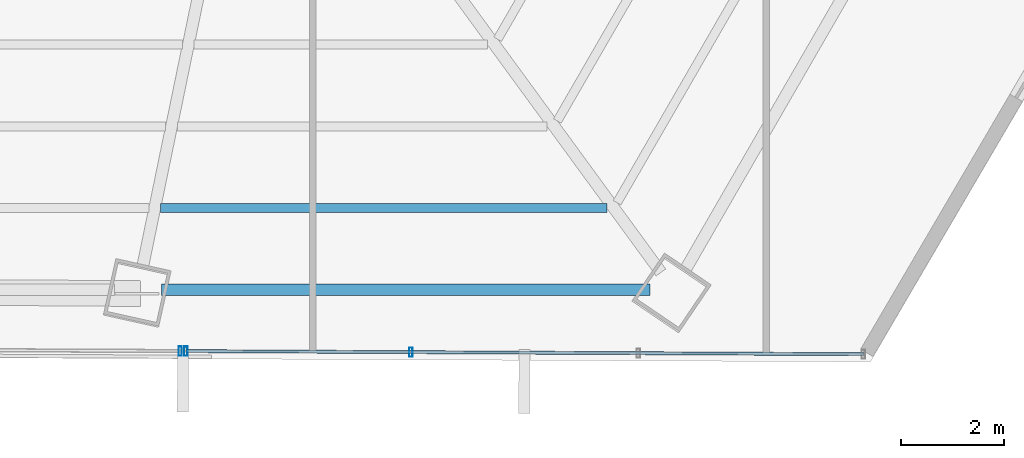
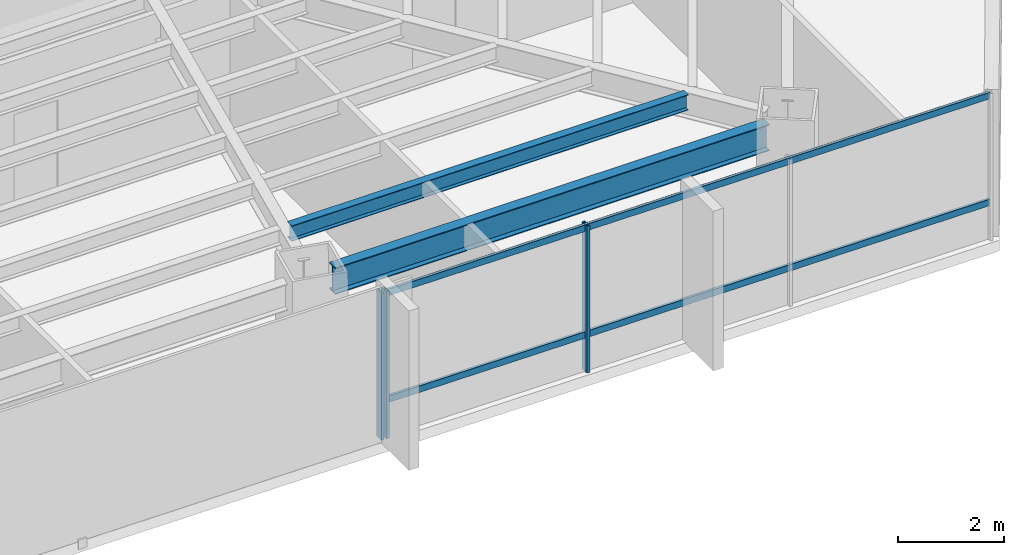
# One storey, part 16 of 35: 5 members, 2 beams, 2 elements without a shape of their own.
"""IFC4 building model written with IfcOpenShell, lengths in metres."""

from ifc_helpers import new_model, si_unit, direction, frame, origin, origin_2d, place, context, subcontext, project, spatial, hollow_rectangle, i_section, extrude, source, transform, mapped, material, material_profile, profile_set, type_object, type_shapes, element, aggregate, save


model = new_model("IFC4")

# Units and contexts
model_context = context("Model", 3, precision=1e-05, world=origin(), true_north=direction((0.0, 1.0)))
body_context = subcontext(model_context, "Body", "Model", "MODEL_VIEW")
ifc_project = project(units=[si_unit("LENGTHUNIT", "METRE"), si_unit("AREAUNIT", "SQUARE_METRE"), si_unit("VOLUMEUNIT", "CUBIC_METRE"), si_unit("PLANEANGLEUNIT", "RADIAN"), si_unit("MASSUNIT", "GRAM", prefix="KILO")], contexts=[model_context])

# Site, building, storey
site_placement = place(None, origin())
site = spatial("IfcSite", under=ifc_project, at=site_placement, CompositionType="ELEMENT")
building_placement = place(site_placement, origin())
building = spatial("IfcBuilding", under=site, at=building_placement, Name="Caelisora Broadcast Tower", CompositionType="ELEMENT")
storey_placement = place(building_placement, frame((0.0, 0.0, 98.10009765625)))
storey = spatial("IfcBuildingStorey", under=building, at=storey_placement, Name="L25", CompositionType="ELEMENT", Elevation=98.10009765625)

# Beams
ifc_material_1 = material(Name="Steel Grade 350 (AS/NZS 3679.1)", Category="steel")
ifc_material_profile_1 = material_profile(ifc_material_1, i_section(OverallWidth=0.22900390625, OverallDepth=0.611572265625, WebThickness=0.011962890625, FlangeThickness=0.01953125, at=origin_2d()), Name="Steel Grade 350 (AS/NZS 3679.1)")
ifc_profile_set_1 = profile_set([ifc_material_profile_1], Name="Steel Grade 350 (AS/NZS 3679.1)")
beam_type_1 = type_object("IfcBeamType", Name="PG03", PredefinedType="BEAM", material=ifc_profile_set_1)
shared_shape_1 = source(origin(), body_context, "Body", "SweptSolid", [
    extrude(i_section(OverallWidth=0.22900390625, OverallDepth=0.611572265625, WebThickness=0.011962890625, FlangeThickness=0.01953125, at=origin_2d()), origin(), (0.0, 0.0, 1.0), 9.50048828125),
])
type_shapes(beam_type_1, [shared_shape_1])
beam_1_placement = place(storey_placement, frame((43.67041015625, 6.268798828125, 3.093994140625), z_axis=(1.0, 0.0, 0.0), x_axis=(0.0, 1.0, 0.0)))
element("IfcBeam", 1, at=beam_1_placement, inside=storey, type_object=beam_type_1, Name="L25 beam PG03", PredefinedType="BEAM", context=body_context, shape_type="MappedRepresentation", body=[
    mapped(shared_shape_1, transform((0.0, 0.0, 0.0), scale=1.0)),
])
ifc_material_profile_2 = material_profile(ifc_material_1, i_section(OverallWidth=0.172119140625, OverallDepth=0.358642578125, WebThickness=0.008056640625, FlangeThickness=0.012939453125, at=origin_2d()), Name="Steel Grade 350 (AS/NZS 3679.1)")
ifc_profile_set_2 = profile_set([ifc_material_profile_2], Name="Steel Grade 350 (AS/NZS 3679.1)")
beam_type_2 = type_object("IfcBeamType", Name="SB02", PredefinedType="JOIST", material=ifc_profile_set_2)
shared_shape_2 = source(origin(), body_context, "Body", "SweptSolid", [
    extrude(i_section(OverallWidth=0.172119140625, OverallDepth=0.358642578125, WebThickness=0.008056640625, FlangeThickness=0.012939453125, at=origin_2d()), origin(), (0.0, 0.0, 1.0), 8.680419921875),
])
type_shapes(beam_type_2, [shared_shape_2])
beam_2_placement = place(storey_placement, frame((43.65087890625, 7.85888671875, 3.220703125), z_axis=(1.0, 0.0, 0.0), x_axis=(0.0, 1.0, 0.0)))
element("IfcBeam", 2, at=beam_2_placement, inside=storey, type_object=beam_type_2, Name="L25 beam SB02", PredefinedType="JOIST", context=body_context, shape_type="MappedRepresentation", body=[
    mapped(shared_shape_2, transform((0.0, 0.0, 0.0), scale=1.0)),
])

# Curtain wall, members
ifc_material_2 = material(Name="Unitised Aluminium and Low-E Glass Curtain Wall", Category="glass")
curtain_wall_type_1 = type_object("IfcCurtainWallType", Name="CW-Z2", PredefinedType="NOTDEFINED", material=ifc_material_2)
curtain_wall_1_placement = place(storey_placement, origin())
curtain_wall_1 = element("IfcCurtainWall", 3, at=curtain_wall_1_placement, inside=storey, type_object=curtain_wall_type_1, Name="L25 curtain wall CW-Z2", PredefinedType="NOTDEFINED")
ifc_material_3 = material(Name="Aluminium 6063-T6 Anodised Terracotta Bronze", Category="aluminium")
ifc_material_profile_3 = material_profile(ifc_material_3, hollow_rectangle(XDim=0.06494140625, YDim=0.179931640625, WallThickness=0.00341796875, at=origin_2d()), Name="Aluminium 6063-T6 Anodised Terracotta Bronze")
ifc_profile_set_3 = profile_set([ifc_material_profile_3], Name="Aluminium 6063-T6 Anodised Terracotta Bronze")
member_type_1 = type_object("IfcMemberType", Name="CWM-02", PredefinedType="MULLION", material=ifc_profile_set_3)
shared_shape_3 = source(origin(), body_context, "Body", "SweptSolid", [
    extrude(hollow_rectangle(XDim=0.06494140625, YDim=0.179931640625, WallThickness=0.00341796875, at=origin_2d()), origin(), (0.0, 0.0, 1.0), 3.39990234375),
])
type_shapes(member_type_1, [shared_shape_3])
member_1_placement = place(storey_placement, frame((48.52001953125, 5.057373046875, 0.0), z_axis=(0.0, 0.0, 1.0), x_axis=(1.0, 0.0, 0.0)))
member_1 = element("IfcMember", 4, at=member_1_placement, type_object=member_type_1, Name="L25-CW-B05 mullion #2", PredefinedType="MULLION", context=body_context, shape_type="MappedRepresentation", body=[
    mapped(shared_shape_3, transform((0.0, 0.0, 0.0), scale=1.0)),
])
member_2_placement = place(storey_placement, frame((44.143798828125, 5.077392578125, 0.0), z_axis=(0.0, 0.0, 1.0), x_axis=(1.0, 0.0, 0.0)))
member_2 = element("IfcMember", 5, at=member_2_placement, type_object=member_type_1, Name="L25-CW-B05 mullion #3", PredefinedType="MULLION", context=body_context, shape_type="MappedRepresentation", body=[
    mapped(shared_shape_3, transform((0.0, 0.0, 0.0), scale=1.0)),
])

# Curtain wall, member
ifc_material_4 = material(Name="Unitised Aluminium Insulated Shadow-Box Spandrel Curtain Wall", Category="aluminium")
curtain_wall_type_2 = type_object("IfcCurtainWallType", Name="CW-SP1", PredefinedType="NOTDEFINED", material=ifc_material_4)
curtain_wall_2_placement = place(storey_placement, origin())
curtain_wall_2 = element("IfcCurtainWall", 6, at=curtain_wall_2_placement, inside=storey, type_object=curtain_wall_type_2, Name="L25 curtain wall CW-SP1", PredefinedType="NOTDEFINED")
member_3_placement = place(storey_placement, frame((44.033935546875, 5.077880859375, 0.0), z_axis=(0.0, 0.0, 1.0), x_axis=(1.0, 0.0, 0.0)))
member_3 = element("IfcMember", 7, at=member_3_placement, type_object=member_type_1, Name="L25-CW-B06 mullion #0", PredefinedType="MULLION", context=body_context, shape_type="MappedRepresentation", body=[
    mapped(shared_shape_3, transform((0.0, 0.0, 0.0), scale=1.0)),
])
aggregate(curtain_wall_2, [member_3])

# Member
ifc_material_profile_4 = material_profile(ifc_material_3, hollow_rectangle(XDim=0.06005859375, YDim=0.14990234375, WallThickness=0.00341796875, at=origin_2d()), Name="Aluminium 6063-T6 Anodised Terracotta Bronze")
ifc_profile_set_4 = profile_set([ifc_material_profile_4], Name="Aluminium 6063-T6 Anodised Terracotta Bronze")
member_type_2 = type_object("IfcMemberType", Name="CWT-02", PredefinedType="USERDEFINED", material=ifc_profile_set_4)
shared_shape_4 = source(origin(), body_context, "Body", "SweptSolid", [
    extrude(hollow_rectangle(XDim=0.06005859375, YDim=0.14990234375, WallThickness=0.00341796875, at=origin_2d()), origin(), (0.0, 0.0, 1.0), 13.178466796875),
])
type_shapes(member_type_2, [shared_shape_4])
member_4_placement = place(storey_placement, frame((57.322021484375, 5.01708984375, 0.849853515625), z_axis=(-0.999989530559, 0.004575890438, 0.0), x_axis=(-0.004575890438, -0.999989530559, 0.0)))
member_4 = element("IfcMember", 8, at=member_4_placement, type_object=member_type_2, Name="L25-CW-B05 transom #1", ObjectType="TRANSOM", PredefinedType="USERDEFINED", context=body_context, shape_type="MappedRepresentation", body=[
    mapped(shared_shape_4, transform((0.0, 0.0, 0.0), scale=1.0)),
])

member_5_placement = place(storey_placement, frame((57.322021484375, 5.01708984375, 3.31982421875), z_axis=(-0.999989530559, 0.004575890438, 0.0), x_axis=(-0.004575890438, -0.999989530559, 0.0)))
member_5 = element("IfcMember", 9, at=member_5_placement, type_object=member_type_2, Name="L25-CW-B05 transom #2", ObjectType="TRANSOM", PredefinedType="USERDEFINED", context=body_context, shape_type="MappedRepresentation", body=[
    mapped(shared_shape_4, transform((0.0, 0.0, 0.0), scale=1.0)),
])

aggregate(curtain_wall_1, [member_1, member_2, member_4, member_5])

save(model, "model.ifc")
